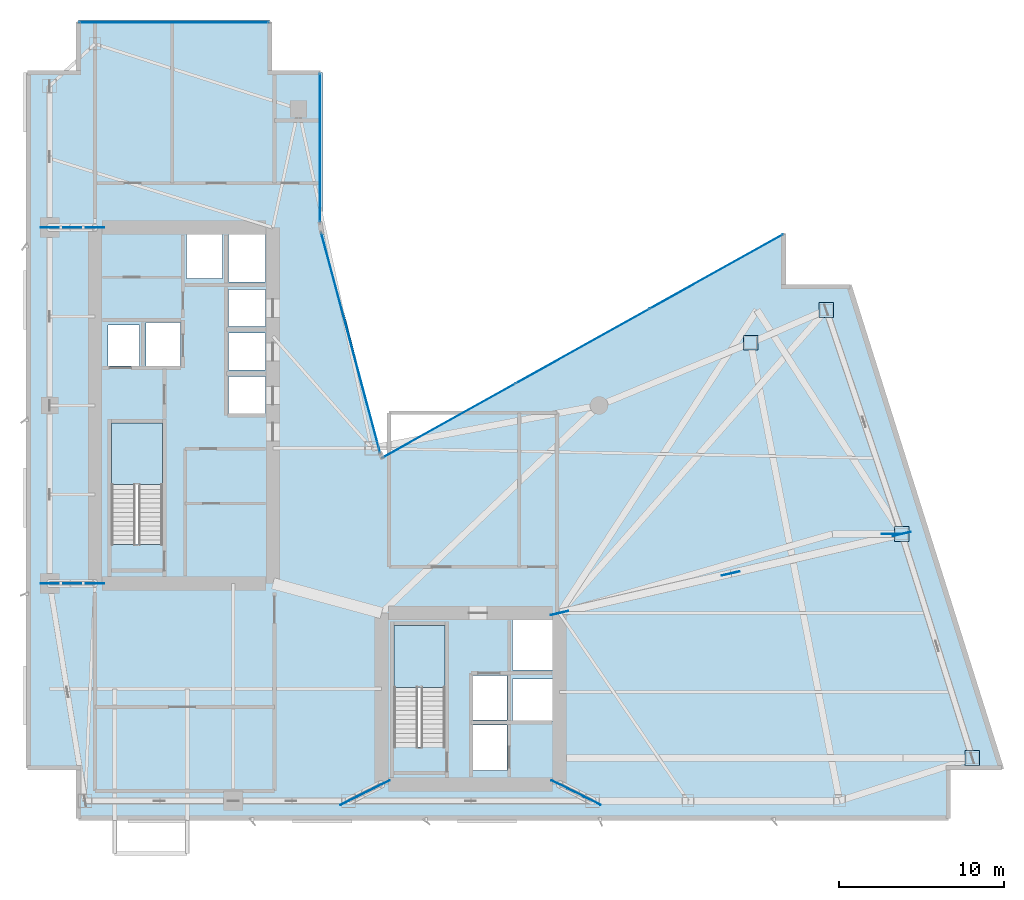
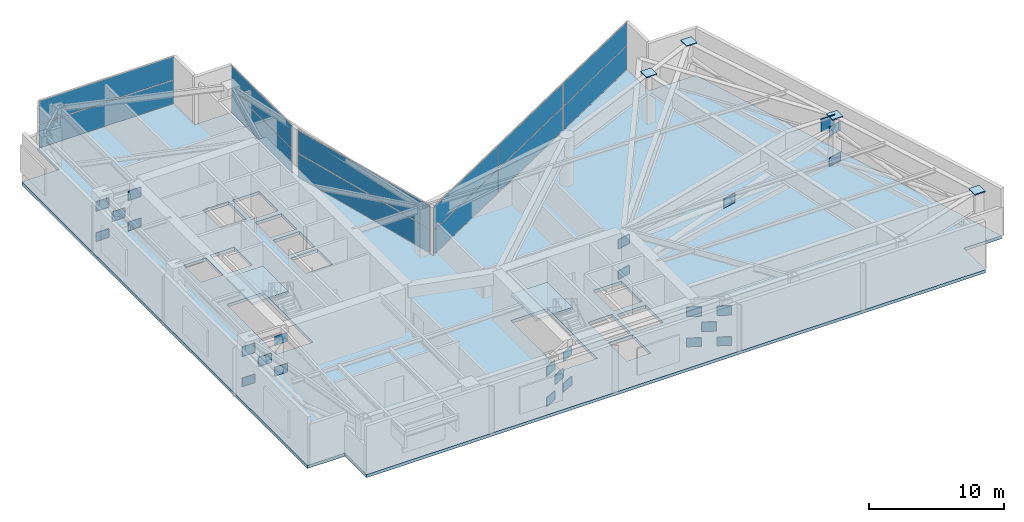
# One storey, part 9 of 17: 42 plates, 3 slabs, 6 elements without a shape of their own.
"""IFC4 building model written with IfcOpenShell, lengths in metres."""

from ifc_helpers import new_model, si_unit, direction, frame, origin, origin_2d, place, context, subcontext, project, spatial, polyline, rectangle, outline, extrude, material, layer, layer_set, type_object, element, aggregate, save


model = new_model("IFC4")

# Units and contexts
model_context = context("Model", 3, precision=1e-05, world=origin(), true_north=direction((0.0, 1.0)))
body_context = subcontext(model_context, "Body", "Model", "MODEL_VIEW")
ifc_project = project(units=[si_unit("LENGTHUNIT", "METRE"), si_unit("AREAUNIT", "SQUARE_METRE"), si_unit("VOLUMEUNIT", "CUBIC_METRE"), si_unit("PLANEANGLEUNIT", "RADIAN"), si_unit("MASSUNIT", "GRAM", prefix="KILO")], contexts=[model_context])

# Site, building, storey
site_placement = place(None, origin())
site = spatial("IfcSite", under=ifc_project, at=site_placement, CompositionType="ELEMENT")
building_placement = place(site_placement, origin())
building = spatial("IfcBuilding", under=site, at=building_placement, Name="Calvorn Quay Hotel", CompositionType="ELEMENT")
storey_placement = place(building_placement, frame((0.0, 0.0, 186.5)))
storey = spatial("IfcBuildingStorey", under=building, at=storey_placement, Name="L46", CompositionType="ELEMENT", Elevation=186.5)

# Curtain wall, plates
ifc_material_1 = material(Name="Pale Anodised Aluminium and Low-E Glass", Category="aluminium")
ifc_layer_1 = layer(ifc_material_1, 0.219970703125)
ifc_layer_set_1 = layer_set([ifc_layer_1], Name="CW-SYS-Z2")
curtain_wall_type = type_object("IfcCurtainWallType", Name="CW-SYS-Z2", PredefinedType="NOTDEFINED", material=ifc_layer_set_1)
curtain_wall_1_placement = place(storey_placement, origin())
curtain_wall_1 = element("IfcCurtainWall", 1, at=curtain_wall_1_placement, inside=storey, type_object=curtain_wall_type, Name="Inner Court Curtain Wall L46-NE1", PredefinedType="NOTDEFINED")
ifc_material_2 = material(Name="Low-E Laminated Double Glazing", Category="glass")
ifc_layer_2 = layer(ifc_material_2, 0.028076171875)
ifc_layer_set_2 = layer_set([ifc_layer_2], Name="CW-SYS-Z2-PAN")
plate_type_1 = type_object("IfcPlateType", Name="CW-SYS-Z2-PAN", PredefinedType="CURTAIN_PANEL", material=ifc_layer_set_2)
plate_1_placement = place(storey_placement, frame((41.920166015625, 35.72607421875, 0.06005859375), z_axis=(0.0, 0.0, 1.0), x_axis=(-0.873480989116, -0.486858256224, 0.0)))
plate_1 = element("IfcPlate", 2, at=plate_1_placement, type_object=plate_type_1, Name="CW-L46-NE1 panel 1.1", PredefinedType="CURTAIN_PANEL", context=body_context, shape_type="SweptSolid", body=[
    extrude(rectangle(XDim=9.221435546875, YDim=0.028076171875, at=origin_2d()), origin(), (0.0, 0.0, 1.0), 2.110107421875),
])
plate_2_placement = place(storey_placement, frame((41.920166015625, 35.72607421875, 2.22998046875), z_axis=(0.0, 0.0, 1.0), x_axis=(-0.873480989116, -0.486858256224, 0.0)))
plate_2 = element("IfcPlate", 3, at=plate_2_placement, type_object=plate_type_1, Name="CW-L46-NE1 panel 1.2", PredefinedType="CURTAIN_PANEL", context=body_context, shape_type="SweptSolid", body=[
    extrude(rectangle(XDim=9.221435546875, YDim=0.028076171875, at=origin_2d()), origin(), (0.0, 0.0, 1.0), 2.06005859375),
])
plate_3_placement = place(storey_placement, frame((33.800048828125, 31.199951171875, 0.06005859375), z_axis=(0.0, 0.0, 1.0), x_axis=(-0.873480989116, -0.486858256224, 0.0)))
plate_3 = element("IfcPlate", 4, at=plate_3_placement, type_object=plate_type_1, Name="CW-L46-NE1 panel 2.1", PredefinedType="CURTAIN_PANEL", context=body_context, shape_type="SweptSolid", body=[
    extrude(rectangle(XDim=9.25146484375, YDim=0.028076171875, at=origin_2d()), origin(), (0.0, 0.0, 1.0), 2.110107421875),
])
plate_4_placement = place(storey_placement, frame((33.800048828125, 31.199951171875, 2.22998046875), z_axis=(0.0, 0.0, 1.0), x_axis=(-0.873480989116, -0.486858256224, 0.0)))
plate_4 = element("IfcPlate", 5, at=plate_4_placement, type_object=plate_type_1, Name="CW-L46-NE1 panel 2.2", PredefinedType="CURTAIN_PANEL", context=body_context, shape_type="SweptSolid", body=[
    extrude(rectangle(XDim=9.25146484375, YDim=0.028076171875, at=origin_2d()), origin(), (0.0, 0.0, 1.0), 2.06005859375),
])
plate_5_placement = place(storey_placement, frame((25.6796875, 26.674072265625, 0.06005859375), z_axis=(0.0, 0.0, 1.0), x_axis=(-0.873480989116, -0.486858256224, 0.0)))
plate_5 = element("IfcPlate", 6, at=plate_5_placement, type_object=plate_type_1, Name="CW-L46-NE1 panel 3.1", PredefinedType="CURTAIN_PANEL", context=body_context, shape_type="SweptSolid", body=[
    extrude(rectangle(XDim=9.221435546875, YDim=0.028076171875, at=origin_2d()), origin(), (0.0, 0.0, 1.0), 2.110107421875),
])
plate_6_placement = place(storey_placement, frame((25.6796875, 26.674072265625, 2.22998046875), z_axis=(0.0, 0.0, 1.0), x_axis=(-0.873480989116, -0.486858256224, 0.0)))
plate_6 = element("IfcPlate", 7, at=plate_6_placement, type_object=plate_type_1, Name="CW-L46-NE1 panel 3.2", PredefinedType="CURTAIN_PANEL", context=body_context, shape_type="SweptSolid", body=[
    extrude(rectangle(XDim=9.221435546875, YDim=0.028076171875, at=origin_2d()), origin(), (0.0, 0.0, 1.0), 2.06005859375),
])
aggregate(curtain_wall_1, [plate_1, plate_2, plate_3, plate_4, plate_5, plate_6])

curtain_wall_2_placement = place(storey_placement, origin())
curtain_wall_2 = element("IfcCurtainWall", 8, at=curtain_wall_2_placement, inside=storey, type_object=curtain_wall_type, Name="Inner Court Curtain Wall L46-IC1", PredefinedType="NOTDEFINED")
plate_7_placement = place(storey_placement, frame((19.72509765625, 31.39990234375, 0.06005859375), z_axis=(0.0, 0.0, 1.0), x_axis=(-0.25877913024, 0.96593652056, 0.0)))
plate_7 = element("IfcPlate", 9, at=plate_7_placement, type_object=plate_type_1, Name="CW-L46-IC1 panel 1.1", PredefinedType="CURTAIN_PANEL", context=body_context, shape_type="SweptSolid", body=[
    extrude(rectangle(XDim=13.814697265625, YDim=0.028076171875, at=origin_2d()), origin(), (0.0, 0.0, 1.0), 2.110107421875),
])
plate_8_placement = place(storey_placement, frame((19.72509765625, 31.39990234375, 2.22998046875), z_axis=(0.0, 0.0, 1.0), x_axis=(-0.25877913024, 0.96593652056, 0.0)))
plate_8 = element("IfcPlate", 10, at=plate_8_placement, type_object=plate_type_1, Name="CW-L46-IC1 panel 1.2", PredefinedType="CURTAIN_PANEL", context=body_context, shape_type="SweptSolid", body=[
    extrude(rectangle(XDim=13.814697265625, YDim=0.028076171875, at=origin_2d()), origin(), (0.0, 0.0, 1.0), 2.06005859375),
])
aggregate(curtain_wall_2, [plate_7, plate_8])

curtain_wall_3_placement = place(storey_placement, origin())
curtain_wall_3 = element("IfcCurtainWall", 11, at=curtain_wall_3_placement, inside=storey, type_object=curtain_wall_type, Name="Inner Court Curtain Wall L46-IC2", PredefinedType="NOTDEFINED")
plate_9_placement = place(storey_placement, frame((17.85009765625, 43.239990234375, 0.06005859375), z_axis=(0.0, 0.0, 1.0), x_axis=(0.0, 1.0, 0.0)))
plate_9 = element("IfcPlate", 12, at=plate_9_placement, type_object=plate_type_1, Name="CW-L46-IC2 panel 1.1", PredefinedType="CURTAIN_PANEL", context=body_context, shape_type="SweptSolid", body=[
    extrude(rectangle(XDim=9.0, YDim=0.028076171875, at=origin_2d()), origin(), (0.0, 0.0, 1.0), 2.110107421875),
])
plate_10_placement = place(storey_placement, frame((17.85009765625, 43.239990234375, 2.22998046875), z_axis=(0.0, 0.0, 1.0), x_axis=(0.0, 1.0, 0.0)))
plate_10 = element("IfcPlate", 13, at=plate_10_placement, type_object=plate_type_1, Name="CW-L46-IC2 panel 1.2", PredefinedType="CURTAIN_PANEL", context=body_context, shape_type="SweptSolid", body=[
    extrude(rectangle(XDim=9.0, YDim=0.028076171875, at=origin_2d()), origin(), (0.0, 0.0, 1.0), 2.06005859375),
])
aggregate(curtain_wall_3, [plate_9, plate_10])

curtain_wall_4_placement = place(storey_placement, origin())
curtain_wall_4 = element("IfcCurtainWall", 14, at=curtain_wall_4_placement, inside=storey, type_object=curtain_wall_type, Name="Inner Court Curtain Wall L46-N1", PredefinedType="NOTDEFINED")
plate_11_placement = place(storey_placement, frame((9.0, 50.85009765625, 0.06005859375), z_axis=(0.0, 0.0, 1.0), x_axis=(-1.0, 0.0, 0.0)))
plate_11 = element("IfcPlate", 15, at=plate_11_placement, type_object=plate_type_1, Name="CW-L46-N1 panel 1.1", PredefinedType="CURTAIN_PANEL", context=body_context, shape_type="SweptSolid", body=[
    extrude(rectangle(XDim=11.47998046875, YDim=0.028076171875, at=origin_2d()), origin(), (0.0, 0.0, 1.0), 2.110107421875),
])
plate_12_placement = place(storey_placement, frame((9.0, 50.85009765625, 2.22998046875), z_axis=(0.0, 0.0, 1.0), x_axis=(-1.0, 0.0, 0.0)))
plate_12 = element("IfcPlate", 16, at=plate_12_placement, type_object=plate_type_1, Name="CW-L46-N1 panel 1.2", PredefinedType="CURTAIN_PANEL", context=body_context, shape_type="SweptSolid", body=[
    extrude(rectangle(XDim=11.47998046875, YDim=0.028076171875, at=origin_2d()), origin(), (0.0, 0.0, 1.0), 2.06005859375),
])
aggregate(curtain_wall_4, [plate_11, plate_12])

# Plates
ifc_material_3 = material(Name="Steel Q390GJC", Category="steel")
ifc_layer_3 = layer(ifc_material_3, 0.035888671875)
ifc_layer_set_3 = layer_set([ifc_layer_3], Name="PLT-GUSSET-36")
plate_type_2 = type_object("IfcPlateType", Name="PLT-GUSSET-36", PredefinedType="SHEET", material=ifc_layer_set_3)
for number, where, z_axis, x_axis, name in (
    (17, (4.199951171875, 16.800048828125, -0.074951171875), (0.0, 0.0, 1.0), (-1.0, 0.0, 0.0), "Outrigger Gusset Plate L46-OW1-C"),
    (18, (4.199951171875, 16.800048828125, 2.724853515625), (0.0, 0.0, 1.0), (-1.0, 0.0, 0.0), "Outrigger Gusset Plate L46-OW1-CT"),
    (19, (2.824951171875, 16.800048828125, 1.324951171875), (0.0, 0.0, 1.0), (-1.0, 0.0, 0.0), "Outrigger Gusset Plate L46-OW1-X"),
    (20, (1.449951171875, 16.800048828125, -0.074951171875), (0.0, 0.0, 1.0), (-1.0, 0.0, 0.0), "Outrigger Gusset Plate L46-OW1-E"),
    (21, (1.449951171875, 16.800048828125, 2.724853515625), (0.0, 0.0, 1.0), (-1.0, 0.0, 0.0), "Outrigger Gusset Plate L46-OW1-ET"),
    (22, (4.199951171875, 38.39990234375, -0.074951171875), (0.0, 0.0, 1.0), (-1.0, 0.0, 0.0), "Outrigger Gusset Plate L46-OW2-C"),
    (23, (4.199951171875, 38.39990234375, 2.724853515625), (0.0, 0.0, 1.0), (-1.0, 0.0, 0.0), "Outrigger Gusset Plate L46-OW2-CT"),
    (24, (2.824951171875, 38.39990234375, 1.324951171875), (0.0, 0.0, 1.0), (-1.0, 0.0, 0.0), "Outrigger Gusset Plate L46-OW2-X"),
    (25, (1.449951171875, 38.39990234375, -0.074951171875), (0.0, 0.0, 1.0), (-1.0, 0.0, 0.0), "Outrigger Gusset Plate L46-OW2-E"),
    (26, (1.449951171875, 38.39990234375, 2.724853515625), (0.0, 0.0, 1.0), (-1.0, 0.0, 0.0), "Outrigger Gusset Plate L46-OW2-ET"),
    (27, (21.60009765625, 4.60009765625, -0.074951171875), (0.0, 0.0, 1.0), (-0.89438856037, -0.447290848419, 0.0), "Outrigger Gusset Plate L46-OE1-C"),
    (28, (21.60009765625, 4.60009765625, 2.724853515625), (0.0, 0.0, 1.0), (-0.89438856037, -0.447290848419, 0.0), "Outrigger Gusset Plate L46-OE1-CT"),
    (29, (20.60009765625, 4.10009765625, 1.324951171875), (0.0, 0.0, 1.0), (-0.89438856037, -0.447290848419, 0.0), "Outrigger Gusset Plate L46-OE1-X"),
    (30, (19.60009765625, 3.60009765625, -0.074951171875), (0.0, 0.0, 1.0), (-0.89438856037, -0.447290848419, 0.0), "Outrigger Gusset Plate L46-OE1-E"),
    (31, (19.60009765625, 3.60009765625, 2.724853515625), (0.0, 0.0, 1.0), (-0.89438856037, -0.447290848419, 0.0), "Outrigger Gusset Plate L46-OE1-ET"),
    (32, (32.39990234375, 4.60009765625, -0.074951171875), (0.0, 0.0, 1.0), (0.89438856037, -0.447290848419, 0.0), "Outrigger Gusset Plate L46-OE2-C"),
    (33, (32.39990234375, 4.60009765625, 2.724853515625), (0.0, 0.0, 1.0), (0.89438856037, -0.447290848419, 0.0), "Outrigger Gusset Plate L46-OE2-CT"),
    (34, (33.39990234375, 4.10009765625, 1.324951171875), (0.0, 0.0, 1.0), (0.89438856037, -0.447290848419, 0.0), "Outrigger Gusset Plate L46-OE2-X"),
    (35, (34.39990234375, 3.60009765625, -0.074951171875), (0.0, 0.0, 1.0), (0.89438856037, -0.447290848419, 0.0), "Outrigger Gusset Plate L46-OE2-E"),
    (36, (34.39990234375, 3.60009765625, 2.724853515625), (0.0, 0.0, 1.0), (0.89438856037, -0.447290848419, 0.0), "Outrigger Gusset Plate L46-OE2-ET"),
    (37, (32.39990234375, 15.0, -0.074951171875), (0.0, 0.0, 1.0), (0.974330788579, 0.225121110574, 0.0), "Outrigger Gusset Plate L46-OE3-C"),
    (38, (32.39990234375, 15.0, 2.724853515625), (0.0, 0.0, 1.0), (0.974330788579, 0.225121110574, 0.0), "Outrigger Gusset Plate L46-OE3-CT"),
    (39, (42.7880859375, 17.39990234375, 1.324951171875), (0.0, 0.0, 1.0), (0.974330788579, 0.225121110574, 0.0), "Outrigger Gusset Plate L46-OE3-X"),
    (40, (53.176025390625, 19.800048828125, -0.074951171875), (0.0, 0.0, 1.0), (0.974330788579, 0.225121110574, 0.0), "Outrigger Gusset Plate L46-OE3-E"),
    (41, (53.176025390625, 19.800048828125, 2.724853515625), (0.0, 0.0, 1.0), (0.974330788579, 0.225121110574, 0.0), "Outrigger Gusset Plate L46-OE3-ET"),
):
    element("IfcPlate", number, at=place(storey_placement, frame(where, z_axis=z_axis, x_axis=x_axis)), inside=storey, type_object=plate_type_2, Name=name, PredefinedType="SHEET", context=body_context, shape_type="SweptSolid", body=[
        extrude(rectangle(XDim=1.10009765625, YDim=0.035888671875, at=origin_2d()), origin(), (0.0, 0.0, 1.0), 0.85009765625),
    ])
ifc_material_4 = material(Name="Steel Q420GJC", Category="steel")
ifc_layer_4 = layer(ifc_material_4, 0.050048828125)
ifc_layer_set_4 = layer_set([ifc_layer_4], Name="PLT-GUSSET-50")
plate_type_3 = type_object("IfcPlateType", Name="PLT-GUSSET-50", PredefinedType="SHEET", material=ifc_layer_set_4)
plate_13_placement = place(storey_placement, frame((52.575927734375, 19.800048828125, 3.25), z_axis=(0.0, 0.0, 1.0), x_axis=(1.0, 0.0, 0.0)))
element("IfcPlate", 42, at=plate_13_placement, inside=storey, type_object=plate_type_3, Name="Transfer Gusset Plate PG-L46-E1", PredefinedType="SHEET", context=body_context, shape_type="SweptSolid", body=[
    extrude(rectangle(XDim=1.199951171875, YDim=0.050048828125, at=origin_2d()), origin(), (0.0, 0.0, 1.0), 1.199951171875),
])
ifc_material_5 = material(Name="Steel Q390GJC", Category="steel")
ifc_layer_5 = layer(ifc_material_5, 0.031982421875)
ifc_layer_set_5 = layer_set([ifc_layer_5], Name="PLT-SPLICE-32")
plate_type_4 = type_object("IfcPlateType", Name="PLT-SPLICE-32", PredefinedType="USERDEFINED", material=ifc_layer_set_5)
for number, where, z_axis, x_axis, name in (
    (43, (44.0, 31.39990234375, 4.2900390625), (0.0, 0.0, 1.0), (1.0, 0.0, 0.0), "Column Top Cap Plate C-NC2 (L46)"),
    (44, (57.4609375, 6.199951171875, 4.2900390625), (0.0, 0.0, 1.0), (1.0, 0.0, 0.0), "Column Top Cap Plate C-ET1 (L46)"),
    (45, (53.176025390625, 19.800048828125, 4.2900390625), (0.0, 0.0, 1.0), (1.0, 0.0, 0.0), "Column Top Cap Plate C-ET2 (L46)"),
    (46, (48.591064453125, 33.39990234375, 4.2900390625), (0.0, 0.0, 1.0), (1.0, 0.0, 0.0), "Column Top Cap Plate C-ET3 (L46)"),
):
    element("IfcPlate", number, at=place(storey_placement, frame(where, z_axis=z_axis, x_axis=x_axis)), inside=storey, type_object=plate_type_4, Name=name, ObjectType="SPLICE_PLATE", PredefinedType="USERDEFINED", context=body_context, shape_type="SweptSolid", body=[
        extrude(rectangle(XDim=0.889892578125, YDim=0.889892578125, at=origin_2d()), origin(), (0.0, 0.0, 1.0), 0.10009765625),
    ])

# Slab
ifc_material_6 = material(Name="Concrete C40", Category="concrete")
ifc_layer_6 = layer(ifc_material_6, 0.280029296875)
ifc_layer_set_6 = layer_set([ifc_layer_6], Name="SLB-REFUGE-280")
slab_type_1 = type_object("IfcSlabType", Name="SLB-REFUGE-280", PredefinedType="FLOOR", material=ifc_layer_set_6)
slab_1_placement = place(storey_placement, frame((0.0, 0.0, -0.280029296875)))
element("IfcSlab", 47, at=slab_1_placement, inside=storey, type_object=slab_type_1, Name="L46 Structural Floor Slab", PredefinedType="FLOOR", context=body_context, shape_type="SweptSolid", body=[
    extrude(outline(polyline([(0.0, 5.60009765625), (3.199951171875, 5.60009765625), (3.199951171875, 2.39990234375), (56.0, 2.39990234375), (56.0, 5.60009765625), (59.199951171875, 5.60009765625), (50.0, 34.800048828125), (46.0, 34.800048828125), (46.0, 38.0), (21.60009765625, 24.39990234375), (18.0, 38.39990234375), (18.0, 47.800048828125), (14.800048828125, 47.800048828125), (14.800048828125, 51.0), (3.199951171875, 51.0), (3.199951171875, 47.800048828125), (0.0, 47.800048828125), (0.0, 5.60009765625)]), holes=[polyline([(5.199951171875, 19.156005859375), (8.300048828125, 19.156005859375), (8.300048828125, 26.550048828125), (5.199951171875, 26.550048828125), (5.199951171875, 19.156005859375)]), polyline([(22.35009765625, 6.85595703125), (25.449951171875, 6.85595703125), (25.449951171875, 14.25), (22.35009765625, 14.25), (22.35009765625, 6.85595703125)]), polyline([(5.0, 30.0), (6.89990234375, 30.0), (6.89990234375, 32.5), (5.0, 32.5), (5.0, 30.0)]), polyline([(7.300048828125, 30.0), (9.39990234375, 30.0), (9.39990234375, 32.64990234375), (7.300048828125, 32.64990234375), (7.300048828125, 30.0)]), polyline([(27.159912109375, 8.5), (29.2099609375, 8.5), (29.2099609375, 11.199951171875), (27.159912109375, 11.199951171875), (27.159912109375, 8.5)]), polyline([(27.159912109375, 5.449951171875), (29.2099609375, 5.449951171875), (29.2099609375, 8.199951171875), (27.159912109375, 8.199951171875), (27.159912109375, 5.449951171875)]), polyline([(12.300048828125, 27.10009765625), (14.56494140625, 27.10009765625), (14.56494140625, 29.35009765625), (12.300048828125, 29.35009765625), (12.300048828125, 27.10009765625)]), polyline([(12.300048828125, 29.75), (14.56494140625, 29.75), (14.56494140625, 32.0), (12.300048828125, 32.0), (12.300048828125, 29.75)]), polyline([(12.300048828125, 32.39990234375), (14.56494140625, 32.39990234375), (14.56494140625, 34.64990234375), (12.300048828125, 34.64990234375), (12.300048828125, 32.39990234375)]), polyline([(12.300048828125, 35.10009765625), (14.56494140625, 35.10009765625), (14.56494140625, 37.965087890625), (12.300048828125, 37.965087890625), (12.300048828125, 35.10009765625)]), polyline([(9.75, 35.300048828125), (11.949951171875, 35.300048828125), (11.949951171875, 37.965087890625), (9.75, 37.965087890625), (9.75, 35.300048828125)]), polyline([(29.550048828125, 11.550048828125), (31.965087890625, 11.550048828125), (31.965087890625, 14.56494140625), (29.550048828125, 14.56494140625), (29.550048828125, 11.550048828125)]), polyline([(29.550048828125, 8.449951171875), (31.965087890625, 8.449951171875), (31.965087890625, 11.0), (29.550048828125, 11.0), (29.550048828125, 8.449951171875)])]), origin(), (0.0, 0.0, 1.0), 0.280029296875),
])

# Stair, slab
ifc_material_7 = material(Name="Concrete C40", Category="concrete")
stair_type = type_object("IfcStairType", Name="STR-CORE-DOGLEG", PredefinedType="HALF_TURN_STAIR", material=ifc_material_7)
stair_1_placement = place(storey_placement, origin())
stair_1 = element("IfcStair", 48, at=stair_1_placement, inside=storey, type_object=stair_type, Name="L46 ST-W", PredefinedType="HALF_TURN_STAIR")
ifc_material_8 = material(Name="Concrete C40", Category="concrete")
ifc_layer_7 = layer(ifc_material_8, 0.199951171875)
ifc_layer_set_7 = layer_set([ifc_layer_7], Name="SLB-STAIR-LANDING-200")
slab_type_2 = type_object("IfcSlabType", Name="SLB-STAIR-LANDING-200", PredefinedType="LANDING", material=ifc_layer_set_7)
slab_2_placement = place(storey_placement, frame((0.0, 0.0, 2.199951171875)))
slab_2 = element("IfcSlab", 49, at=slab_2_placement, type_object=slab_type_2, Name="ST-W landing 1", PredefinedType="LANDING", context=body_context, shape_type="SweptSolid", body=[
    extrude(outline(polyline([(8.300048828125, 22.7900390625), (8.300048828125, 26.550048828125), (5.199951171875, 26.550048828125), (5.199951171875, 22.7900390625), (8.300048828125, 22.7900390625)])), origin(), (0.0, 0.0, 1.0), 0.199951171875),
])
aggregate(stair_1, [slab_2])

stair_2_placement = place(storey_placement, origin())
stair_2 = element("IfcStair", 50, at=stair_2_placement, inside=storey, type_object=stair_type, Name="L46 ST-E", PredefinedType="HALF_TURN_STAIR")
slab_3_placement = place(storey_placement, frame((0.0, 0.0, 2.199951171875)))
slab_3 = element("IfcSlab", 51, at=slab_3_placement, type_object=slab_type_2, Name="ST-E landing 1", PredefinedType="LANDING", context=body_context, shape_type="SweptSolid", body=[
    extrude(outline(polyline([(25.449951171875, 10.489990234375), (25.449951171875, 14.25), (22.35009765625, 14.25), (22.35009765625, 10.489990234375), (25.449951171875, 10.489990234375)])), origin(), (0.0, 0.0, 1.0), 0.199951171875),
])
aggregate(stair_2, [slab_3])

save(model, "model.ifc")
